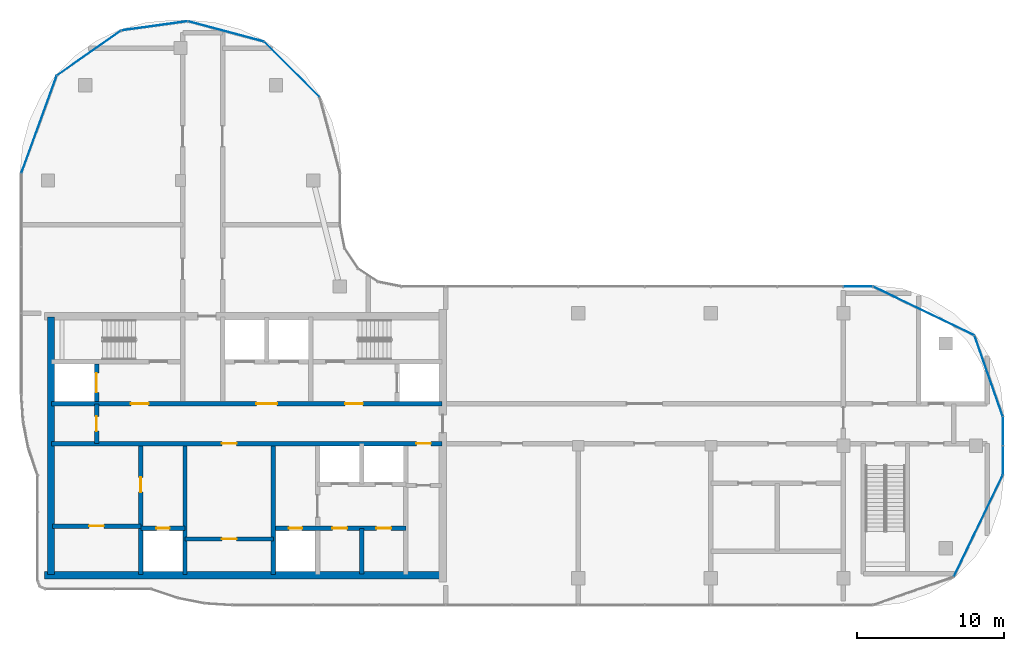
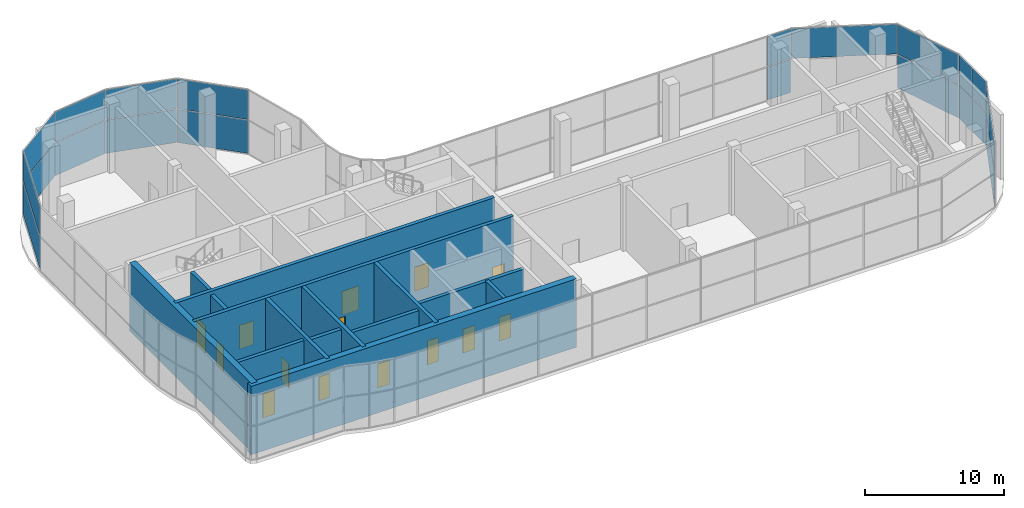
# One storey, part 14 of 19: 21 plates, 14 doors, 14 walls, 14 openings, 5 elements without a shape of their own.
"""IFC4 building model written with IfcOpenShell, lengths in metres."""

from ifc_helpers import new_model, si_unit, direction, frame, frame_2d, origin, origin_2d, place, context, subcontext, project, spatial, rectangle, extrude, material, layer, layer_set, type_object, element, fill, aggregate, save


model = new_model("IFC4")

# Units and contexts
model_context = context("Model", 3, precision=1e-05, world=origin(), true_north=direction((0.0, 1.0)))
body_context = subcontext(model_context, "Body", "Model", "MODEL_VIEW")
ifc_project = project(units=[si_unit("LENGTHUNIT", "METRE"), si_unit("AREAUNIT", "SQUARE_METRE"), si_unit("VOLUMEUNIT", "CUBIC_METRE"), si_unit("PLANEANGLEUNIT", "RADIAN"), si_unit("MASSUNIT", "GRAM", prefix="KILO")], contexts=[model_context])

# Site, building, storey
site_placement = place(None, origin())
site = spatial("IfcSite", under=ifc_project, at=site_placement, CompositionType="ELEMENT")
building_placement = place(site_placement, origin())
building = spatial("IfcBuilding", under=site, at=building_placement, Name="Ogive Portal Towers", CompositionType="ELEMENT")
storey_placement = place(building_placement, frame((0.0, 0.0, 254.89990234375)))
storey = spatial("IfcBuildingStorey", under=building, at=storey_placement, Name="L63", CompositionType="ELEMENT", Elevation=254.89990234375)

# Curtain wall, plates
ifc_material_1 = material(Name="Glass, clear low-iron insulated glazing", Category="glass")
curtain_wall_type = type_object("IfcCurtainWallType", Name="CW OBSERVATION WALL", PredefinedType="NOTDEFINED", material=ifc_material_1)
curtain_wall_1_placement = place(storey_placement, origin())
curtain_wall_1 = element("IfcCurtainWall", 1, at=curtain_wall_1_placement, inside=storey, type_object=curtain_wall_type, Name="A:L63:f10:cw0", PredefinedType="NOTDEFINED")
ifc_layer_1 = layer(ifc_material_1, 0.028076171875)
ifc_layer_set_1 = layer_set([ifc_layer_1], Name="CW PANEL IGU 28")
plate_type = type_object("IfcPlateType", Name="CW PANEL IGU 28", PredefinedType="CURTAIN_PANEL", material=ifc_layer_set_1)
plate_1_placement = place(storey_placement, frame((96.320068359375, 29.509033203125, 0.06005859375), z_axis=(0.0, 0.0, 1.0), x_axis=(0.0, 1.0, 0.0)))
plate_1 = element("IfcPlate", 2, at=plate_1_placement, type_object=plate_type, Name="panel", PredefinedType="CURTAIN_PANEL", context=body_context, shape_type="SweptSolid", body=[
    extrude(rectangle(XDim=1.921630859375, YDim=0.028076171875, at=origin_2d()), origin(), (0.0, 0.0, 1.0), 2.909912109375),
])
plate_2_placement = place(storey_placement, frame((96.320068359375, 29.509033203125, 3.0302734375), z_axis=(0.0, 0.0, 1.0), x_axis=(0.0, 1.0, 0.0)))
plate_2 = element("IfcPlate", 3, at=plate_2_placement, type_object=plate_type, Name="panel", PredefinedType="CURTAIN_PANEL", context=body_context, shape_type="SweptSolid", body=[
    extrude(rectangle(XDim=1.921630859375, YDim=0.028076171875, at=origin_2d()), origin(), (0.0, 0.0, 1.0), 2.610107421875),
])
plate_3_placement = place(storey_placement, frame((96.320068359375, 31.4931640625, 0.06005859375), z_axis=(0.0, 0.0, 1.0), x_axis=(0.0, 1.0, 0.0)))
plate_3 = element("IfcPlate", 4, at=plate_3_placement, type_object=plate_type, Name="panel", PredefinedType="CURTAIN_PANEL", context=body_context, shape_type="SweptSolid", body=[
    extrude(rectangle(XDim=1.926513671875, YDim=0.028076171875, at=origin_2d()), origin(), (0.0, 0.0, 1.0), 2.909912109375),
])
plate_4_placement = place(storey_placement, frame((96.320068359375, 31.4931640625, 3.0302734375), z_axis=(0.0, 0.0, 1.0), x_axis=(0.0, 1.0, 0.0)))
plate_4 = element("IfcPlate", 5, at=plate_4_placement, type_object=plate_type, Name="panel", PredefinedType="CURTAIN_PANEL", context=body_context, shape_type="SweptSolid", body=[
    extrude(rectangle(XDim=1.926513671875, YDim=0.028076171875, at=origin_2d()), origin(), (0.0, 0.0, 1.0), 2.610107421875),
])
aggregate(curtain_wall_1, [plate_1, plate_2, plate_3, plate_4])

curtain_wall_2_placement = place(storey_placement, origin())
curtain_wall_2 = element("IfcCurtainWall", 6, at=curtain_wall_2_placement, inside=storey, type_object=curtain_wall_type, Name="A:L63:f13:cw0", PredefinedType="NOTDEFINED")
plate_5_placement = place(storey_placement, frame((86.490966796875, 41.320068359375, 0.06005859375), z_axis=(0.0, 0.0, 1.0), x_axis=(-1.0, 0.0, 0.0)))
plate_5 = element("IfcPlate", 7, at=plate_5_placement, type_object=plate_type, Name="panel", PredefinedType="CURTAIN_PANEL", context=body_context, shape_type="SweptSolid", body=[
    extrude(rectangle(XDim=1.921630859375, YDim=0.028076171875, at=origin_2d()), origin(), (0.0, 0.0, 1.0), 2.909912109375),
])
plate_6_placement = place(storey_placement, frame((86.490966796875, 41.320068359375, 3.0302734375), z_axis=(0.0, 0.0, 1.0), x_axis=(-1.0, 0.0, 0.0)))
plate_6 = element("IfcPlate", 8, at=plate_6_placement, type_object=plate_type, Name="panel", PredefinedType="CURTAIN_PANEL", context=body_context, shape_type="SweptSolid", body=[
    extrude(rectangle(XDim=1.921630859375, YDim=0.028076171875, at=origin_2d()), origin(), (0.0, 0.0, 1.0), 2.610107421875),
])
aggregate(curtain_wall_2, [plate_5, plate_6])

curtain_wall_3_placement = place(storey_placement, origin())
curtain_wall_3 = element("IfcCurtainWall", 9, at=curtain_wall_3_placement, inside=storey, type_object=curtain_wall_type, Name="A:L63:f08:cwa", PredefinedType="NOTDEFINED")
plate_7_placement = place(storey_placement, frame((94.65576171875, 25.062255859375, 0.06005859375), z_axis=(0.0, 0.0, 1.0), x_axis=(0.433883739113, 0.900968867905, 0.0)))
plate_7 = element("IfcPlate", 10, at=plate_7_placement, type_object=plate_type, Name="panel", PredefinedType="CURTAIN_PANEL", context=body_context, shape_type="SweptSolid", body=[
    extrude(rectangle(XDim=7.61181640625, YDim=0.028076171875, at=origin_2d()), origin(), (0.0, 0.0, 1.0), 2.909912109375),
])
plate_8_placement = place(storey_placement, frame((94.65576171875, 25.062255859375, 3.0302734375), z_axis=(0.0, 0.0, 1.0), x_axis=(0.433883739113, 0.900968867905, 0.0)))
plate_8 = element("IfcPlate", 11, at=plate_8_placement, type_object=plate_type, Name="panel", PredefinedType="CURTAIN_PANEL", context=body_context, shape_type="SweptSolid", body=[
    extrude(rectangle(XDim=7.61181640625, YDim=0.028076171875, at=origin_2d()), origin(), (0.0, 0.0, 1.0), 2.610107421875),
])
aggregate(curtain_wall_3, [plate_7, plate_8])

curtain_wall_4_placement = place(storey_placement, origin())
curtain_wall_4 = element("IfcCurtainWall", 12, at=curtain_wall_4_placement, inside=storey, type_object=curtain_wall_type, Name="A:L63:f11:cwa", PredefinedType="NOTDEFINED")
plate_9_placement = place(storey_placement, frame((95.35693359375, 35.23876953125, 0.06005859375), z_axis=(0.0, 0.0, 1.0), x_axis=(-0.33027906196, 0.943883330307, 0.0)))
plate_9 = element("IfcPlate", 13, at=plate_9_placement, type_object=plate_type, Name="panel", PredefinedType="CURTAIN_PANEL", context=body_context, shape_type="SweptSolid", body=[
    extrude(rectangle(XDim=5.772216796875, YDim=0.028076171875, at=origin_2d()), origin(), (0.0, 0.0, 1.0), 2.909912109375),
])
plate_10_placement = place(storey_placement, frame((95.35693359375, 35.23876953125, 3.0302734375), z_axis=(0.0, 0.0, 1.0), x_axis=(-0.33027906196, 0.943883330307, 0.0)))
plate_10 = element("IfcPlate", 14, at=plate_10_placement, type_object=plate_type, Name="panel", PredefinedType="CURTAIN_PANEL", context=body_context, shape_type="SweptSolid", body=[
    extrude(rectangle(XDim=5.772216796875, YDim=0.028076171875, at=origin_2d()), origin(), (0.0, 0.0, 1.0), 2.610107421875),
])
plate_11_placement = place(storey_placement, frame((90.937744140625, 39.65576171875, 3.0302734375), z_axis=(0.0, 0.0, 1.0), x_axis=(-0.900968867905, 0.433883739113, 0.0)))
plate_11 = element("IfcPlate", 15, at=plate_11_placement, type_object=plate_type, Name="panel", PredefinedType="CURTAIN_PANEL", context=body_context, shape_type="SweptSolid", body=[
    extrude(rectangle(XDim=7.61181640625, YDim=0.028076171875, at=origin_2d()), origin(), (0.0, 0.0, 1.0), 2.610107421875),
])
aggregate(curtain_wall_4, [plate_9, plate_10, plate_11])

curtain_wall_5_placement = place(storey_placement, origin())
curtain_wall_5 = element("IfcCurtainWall", 16, at=curtain_wall_5_placement, inside=storey, type_object=curtain_wall_type, Name="A:L63:f19:cwa", PredefinedType="NOTDEFINED")
plate_12_placement = place(storey_placement, frame((48.046875, 56.046875, 0.06005859375), z_axis=(0.0, 0.0, 1.0), x_axis=(-0.707106781187, 0.707106781187, 0.0)))
plate_12 = element("IfcPlate", 17, at=plate_12_placement, type_object=plate_type, Name="panel", PredefinedType="CURTAIN_PANEL", context=body_context, shape_type="SweptSolid", body=[
    extrude(rectangle(XDim=5.280517578125, YDim=0.028076171875, at=origin_2d()), origin(), (0.0, 0.0, 1.0), 2.909912109375),
])
plate_13_placement = place(storey_placement, frame((48.046875, 56.046875, 3.0302734375), z_axis=(0.0, 0.0, 1.0), x_axis=(-0.707106781187, 0.707106781187, 0.0)))
plate_13 = element("IfcPlate", 18, at=plate_13_placement, type_object=plate_type, Name="panel", PredefinedType="CURTAIN_PANEL", context=body_context, shape_type="SweptSolid", body=[
    extrude(rectangle(XDim=5.280517578125, YDim=0.028076171875, at=origin_2d()), origin(), (0.0, 0.0, 1.0), 2.610107421875),
])
plate_14_placement = place(storey_placement, frame((43.57666015625, 58.626708984375, 0.06005859375), z_axis=(0.0, 0.0, 1.0), x_axis=(-0.965925826289, 0.258819045103, 0.0)))
plate_14 = element("IfcPlate", 19, at=plate_14_placement, type_object=plate_type, Name="panel", PredefinedType="CURTAIN_PANEL", context=body_context, shape_type="SweptSolid", body=[
    extrude(rectangle(XDim=5.285888671875, YDim=0.028076171875, at=origin_2d()), origin(), (0.0, 0.0, 1.0), 2.909912109375),
])
plate_15_placement = place(storey_placement, frame((43.57666015625, 58.626708984375, 3.0302734375), z_axis=(0.0, 0.0, 1.0), x_axis=(-0.965925826289, 0.258819045103, 0.0)))
plate_15 = element("IfcPlate", 20, at=plate_15_placement, type_object=plate_type, Name="panel", PredefinedType="CURTAIN_PANEL", context=body_context, shape_type="SweptSolid", body=[
    extrude(rectangle(XDim=5.285888671875, YDim=0.028076171875, at=origin_2d()), origin(), (0.0, 0.0, 1.0), 2.610107421875),
])
plate_16_placement = place(storey_placement, frame((38.73388671875, 59.00732421875, 0.06005859375), z_axis=(0.0, 0.0, 1.0), x_axis=(-0.990660996338, -0.13634804852, 0.0)))
plate_16 = element("IfcPlate", 21, at=plate_16_placement, type_object=plate_type, Name="panel", PredefinedType="CURTAIN_PANEL", context=body_context, shape_type="SweptSolid", body=[
    extrude(rectangle(XDim=4.50439453125, YDim=0.028076171875, at=origin_2d()), origin(), (0.0, 0.0, 1.0), 2.909912109375),
])
plate_17_placement = place(storey_placement, frame((38.73388671875, 59.00732421875, 3.0302734375), z_axis=(0.0, 0.0, 1.0), x_axis=(-0.990660996338, -0.13634804852, 0.0)))
plate_17 = element("IfcPlate", 22, at=plate_17_placement, type_object=plate_type, Name="panel", PredefinedType="CURTAIN_PANEL", context=body_context, shape_type="SweptSolid", body=[
    extrude(rectangle(XDim=4.50439453125, YDim=0.028076171875, at=origin_2d()), origin(), (0.0, 0.0, 1.0), 2.610107421875),
])
plate_18_placement = place(storey_placement, frame((34.286376953125, 57.1650390625, 0.06005859375), z_axis=(0.0, 0.0, 1.0), x_axis=(-0.819152044289, -0.573576436351, 0.0)))
plate_18 = element("IfcPlate", 23, at=plate_18_placement, type_object=plate_type, Name="panel", PredefinedType="CURTAIN_PANEL", context=body_context, shape_type="SweptSolid", body=[
    extrude(rectangle(XDim=5.27880859375, YDim=0.028076171875, at=origin_2d()), origin(), (0.0, 0.0, 1.0), 2.909912109375),
])
plate_19_placement = place(storey_placement, frame((34.286376953125, 57.1650390625, 3.0302734375), z_axis=(0.0, 0.0, 1.0), x_axis=(-0.819152044289, -0.573576436351, 0.0)))
plate_19 = element("IfcPlate", 24, at=plate_19_placement, type_object=plate_type, Name="panel", PredefinedType="CURTAIN_PANEL", context=body_context, shape_type="SweptSolid", body=[
    extrude(rectangle(XDim=5.27880859375, YDim=0.028076171875, at=origin_2d()), origin(), (0.0, 0.0, 1.0), 2.610107421875),
])
plate_20_placement = place(storey_placement, frame((30.889892578125, 52.309814453125, 0.06005859375), z_axis=(0.0, 0.0, 1.0), x_axis=(-0.342020143326, -0.939692620786, 0.0)))
plate_20 = element("IfcPlate", 25, at=plate_20_placement, type_object=plate_type, Name="panel", PredefinedType="CURTAIN_PANEL", context=body_context, shape_type="SweptSolid", body=[
    extrude(rectangle(XDim=7.0146484375, YDim=0.028076171875, at=origin_2d()), origin(), (0.0, 0.0, 1.0), 2.909912109375),
])
plate_21_placement = place(storey_placement, frame((30.889892578125, 52.309814453125, 3.0302734375), z_axis=(0.0, 0.0, 1.0), x_axis=(-0.342020143326, -0.939692620786, 0.0)))
plate_21 = element("IfcPlate", 26, at=plate_21_placement, type_object=plate_type, Name="panel", PredefinedType="CURTAIN_PANEL", context=body_context, shape_type="SweptSolid", body=[
    extrude(rectangle(XDim=7.0146484375, YDim=0.028076171875, at=origin_2d()), origin(), (0.0, 0.0, 1.0), 2.610107421875),
])
aggregate(curtain_wall_5, [plate_12, plate_13, plate_14, plate_15, plate_16, plate_17, plate_18, plate_19, plate_20, plate_21])

# Wall, opening, door
ifc_material_2 = material(Name="Concrete C60/75", Category="concrete")
ifc_layer_2 = layer(ifc_material_2, 0.300048828125)
ifc_layer_set_2 = layer_set([ifc_layer_2], Name="CORE WALL 300 C60")
wall_type_1 = type_object("IfcWallType", Name="CORE WALL 300 C60", PredefinedType="SHEAR", material=ifc_layer_set_2)
wall_1_placement = place(storey_placement, frame((37.800048828125, 21.75, 0.0), z_axis=(0.0, 0.0, 1.0), x_axis=(0.0, 1.0, 0.0)))
wall_1 = element("IfcWall", 27, at=wall_1_placement, inside=storey, type_object=wall_type_1, Name="Core wall X1 L63", PredefinedType="SHEAR", context=body_context, shape_type="SweptSolid", body=[
    extrude(rectangle(XDim=8.75, YDim=0.300048828125, at=frame_2d((4.375, 0.0))), origin(), (0.0, 0.0, 1.0), 6.0),
])
opening_1_placement = place(wall_1_placement, frame((5.60009765625, 0.0, 0.0)))
opening_1 = element("IfcOpeningElement", 28, at=opening_1_placement, cuts=wall_1, Name="Opening D29-019", PredefinedType="OPENING", context=body_context, shape_type="SweptSolid", body=[
    extrude(rectangle(XDim=1.0, YDim=2.10009765625, at=frame_2d((0.5, 1.050048828125))), frame((0.0, 0.16015625, 0.0), z_axis=(0.0, -1.0, 0.0), x_axis=(1.0, 0.0, 0.0)), (0.0, 0.0, 1.0), 0.320068359375),
])
ifc_material_3 = material(Name="Steel fire door", Category="steel")
door_type_1 = type_object("IfcDoorType", Name="DT-SWING-1000x2100-FD90S", OperationType="SINGLE_SWING_LEFT", PredefinedType="DOOR", material=ifc_material_3)
door_1_placement = place(opening_1_placement, origin())
door_1 = element("IfcDoor", 29, at=door_1_placement, inside=storey, type_object=door_type_1, Name="Door D29-019", OperationType="SINGLE_SWING_LEFT", OverallHeight=2.10009765625, OverallWidth=1.0, PredefinedType="DOOR", context=body_context, shape_type="SweptSolid", body=[
    extrude(rectangle(XDim=1.0, YDim=2.10009765625, at=frame_2d((0.5, 1.050048828125))), frame((0.0, 0.02490234375, 0.0), z_axis=(0.0, -1.0, 0.0), x_axis=(1.0, 0.0, 0.0)), (0.0, 0.0, 1.0), 0.050048828125),
])
fill(opening_1, door_1)

# Walls
for number, where, z_axis, x_axis, name in (
    (30, (40.800048828125, 21.75, 0.0), (0.0, 0.0, 1.0), (0.0, 1.0, 0.0), "Core wall X2 L63"),
    (31, (46.800048828125, 21.75, 0.0), (0.0, 0.0, 1.0), (0.0, 1.0, 0.0), "Core wall X3 L63"),
):
    element("IfcWall", number, at=place(storey_placement, frame(where, z_axis=z_axis, x_axis=x_axis)), inside=storey, type_object=wall_type_1, Name=name, PredefinedType="SHEAR", context=body_context, shape_type="SweptSolid", body=[
        extrude(rectangle(XDim=8.75, YDim=0.300048828125, at=frame_2d((4.375, 0.0))), origin(), (0.0, 0.0, 1.0), 6.0),
    ])

# Wall, openings, doors
wall_2_placement = place(storey_placement, frame((31.75, 30.64990234375, 0.0), z_axis=(0.0, 0.0, 1.0), x_axis=(1.0, 0.0, 0.0)))
wall_2 = element("IfcWall", 32, at=wall_2_placement, inside=storey, type_object=wall_type_1, Name="Core wall Y1 L63", PredefinedType="SHEAR", context=body_context, shape_type="SweptSolid", body=[
    extrude(rectangle(XDim=26.5, YDim=0.300048828125, at=frame_2d((13.25, 0.0))), origin(), (0.0, 0.0, 1.0), 6.0),
])
opening_2_placement = place(wall_2_placement, frame((24.75, 0.0, 0.0)))
opening_2 = element("IfcOpeningElement", 33, at=opening_2_placement, cuts=wall_2, Name="Opening D29-009", PredefinedType="OPENING", context=body_context, shape_type="SweptSolid", body=[
    extrude(rectangle(XDim=1.0, YDim=2.10009765625, at=frame_2d((0.5, 1.050048828125))), frame((0.0, 0.16015625, 0.0), z_axis=(0.0, -1.0, 0.0), x_axis=(1.0, 0.0, 0.0)), (0.0, 0.0, 1.0), 0.320068359375),
])
opening_3_placement = place(wall_2_placement, frame((11.550048828125, 0.0, 0.0)))
opening_3 = element("IfcOpeningElement", 34, at=opening_3_placement, cuts=wall_2, Name="Opening D29-021", PredefinedType="OPENING", context=body_context, shape_type="SweptSolid", body=[
    extrude(rectangle(XDim=1.0, YDim=2.10009765625, at=frame_2d((0.5, 1.050048828125))), frame((0.0, 0.16015625, 0.0), z_axis=(0.0, -1.0, 0.0), x_axis=(1.0, 0.0, 0.0)), (0.0, 0.0, 1.0), 0.320068359375),
])
door_2_placement = place(opening_2_placement, origin())
door_2 = element("IfcDoor", 35, at=door_2_placement, inside=storey, type_object=door_type_1, Name="Door D29-009", OperationType="SINGLE_SWING_LEFT", OverallHeight=2.10009765625, OverallWidth=1.0, PredefinedType="DOOR", context=body_context, shape_type="SweptSolid", body=[
    extrude(rectangle(XDim=1.0, YDim=2.10009765625, at=frame_2d((0.5, 1.050048828125))), frame((0.0, 0.02490234375, 0.0), z_axis=(0.0, -1.0, 0.0), x_axis=(1.0, 0.0, 0.0)), (0.0, 0.0, 1.0), 0.050048828125),
])
fill(opening_2, door_2)
door_3_placement = place(opening_3_placement, origin())
door_3 = element("IfcDoor", 36, at=door_3_placement, inside=storey, type_object=door_type_1, Name="Door D29-021", OperationType="SINGLE_SWING_LEFT", OverallHeight=2.10009765625, OverallWidth=1.0, PredefinedType="DOOR", context=body_context, shape_type="SweptSolid", body=[
    extrude(rectangle(XDim=1.0, YDim=2.10009765625, at=frame_2d((0.5, 1.050048828125))), frame((0.0, 0.02490234375, 0.0), z_axis=(0.0, -1.0, 0.0), x_axis=(1.0, 0.0, 0.0)), (0.0, 0.0, 1.0), 0.050048828125),
])
fill(opening_3, door_3)

wall_3_placement = place(storey_placement, frame((31.75, 33.35009765625, 0.0), z_axis=(0.0, 0.0, 1.0), x_axis=(1.0, 0.0, 0.0)))
wall_3 = element("IfcWall", 37, at=wall_3_placement, inside=storey, type_object=wall_type_1, Name="Core wall Y2 L63", PredefinedType="SHEAR", context=body_context, shape_type="SweptSolid", body=[
    extrude(rectangle(XDim=26.5, YDim=0.300048828125, at=frame_2d((13.25, 0.0))), origin(), (0.0, 0.0, 1.0), 6.0),
])
opening_4_placement = place(wall_3_placement, frame((13.89990234375, 0.0, 0.0)))
opening_4 = element("IfcOpeningElement", 38, at=opening_4_placement, cuts=wall_3, Name="Opening D29-002", PredefinedType="OPENING", context=body_context, shape_type="SweptSolid", body=[
    extrude(rectangle(XDim=1.39990234375, YDim=2.10009765625, at=frame_2d((0.699951171875, 1.050048828125))), frame((0.0, 0.16015625, 0.0), z_axis=(0.0, -1.0, 0.0), x_axis=(1.0, 0.0, 0.0)), (0.0, 0.0, 1.0), 0.320068359375),
])
opening_5_placement = place(wall_3_placement, frame((5.375, 0.0, 0.0)))
opening_5 = element("IfcOpeningElement", 39, at=opening_5_placement, cuts=wall_3, Name="Opening D29-003", PredefinedType="OPENING", context=body_context, shape_type="SweptSolid", body=[
    extrude(rectangle(XDim=1.199951171875, YDim=2.10009765625, at=frame_2d((0.60009765625, 1.050048828125))), frame((0.0, 0.16015625, 0.0), z_axis=(0.0, -1.0, 0.0), x_axis=(1.0, 0.0, 0.0)), (0.0, 0.0, 1.0), 0.320068359375),
])
opening_6_placement = place(wall_3_placement, frame((19.925048828125, 0.0, 0.0)))
opening_6 = element("IfcOpeningElement", 40, at=opening_6_placement, cuts=wall_3, Name="Opening D29-004", PredefinedType="OPENING", context=body_context, shape_type="SweptSolid", body=[
    extrude(rectangle(XDim=1.199951171875, YDim=2.10009765625, at=frame_2d((0.60009765625, 1.050048828125))), frame((0.0, 0.16015625, 0.0), z_axis=(0.0, -1.0, 0.0), x_axis=(1.0, 0.0, 0.0)), (0.0, 0.0, 1.0), 0.320068359375),
])
door_type_2 = type_object("IfcDoorType", Name="DT-SWING-1200x2100-FD90S", OperationType="SINGLE_SWING_LEFT", PredefinedType="DOOR", material=ifc_material_3)
door_4_placement = place(opening_5_placement, origin())
door_4 = element("IfcDoor", 41, at=door_4_placement, inside=storey, type_object=door_type_2, Name="Door D29-003", OperationType="SINGLE_SWING_LEFT", OverallHeight=2.10009765625, OverallWidth=1.199951171875, PredefinedType="DOOR", context=body_context, shape_type="SweptSolid", body=[
    extrude(rectangle(XDim=1.199951171875, YDim=2.10009765625, at=frame_2d((0.60009765625, 1.050048828125))), frame((0.0, 0.02490234375, 0.0), z_axis=(0.0, -1.0, 0.0), x_axis=(1.0, 0.0, 0.0)), (0.0, 0.0, 1.0), 0.050048828125),
])
fill(opening_5, door_4)
door_5_placement = place(opening_6_placement, origin())
door_5 = element("IfcDoor", 42, at=door_5_placement, inside=storey, type_object=door_type_2, Name="Door D29-004", OperationType="SINGLE_SWING_RIGHT", OverallHeight=2.10009765625, OverallWidth=1.199951171875, PredefinedType="DOOR", context=body_context, shape_type="SweptSolid", body=[
    extrude(rectangle(XDim=1.199951171875, YDim=2.10009765625, at=frame_2d((0.60009765625, 1.050048828125))), frame((0.0, 0.02490234375, 0.0), z_axis=(0.0, -1.0, 0.0), x_axis=(1.0, 0.0, 0.0)), (0.0, 0.0, 1.0), 0.050048828125),
])
fill(opening_6, door_5)
door_type_3 = type_object("IfcDoorType", Name="DT-SWING-1400x2100-FD90S", OperationType="SINGLE_SWING_LEFT", PredefinedType="DOOR", material=ifc_material_3)
door_6_placement = place(opening_4_placement, origin())
door_6 = element("IfcDoor", 43, at=door_6_placement, inside=storey, type_object=door_type_3, Name="Door D29-002", OperationType="SINGLE_SWING_RIGHT", OverallHeight=2.10009765625, OverallWidth=1.39990234375, PredefinedType="DOOR", context=body_context, shape_type="SweptSolid", body=[
    extrude(rectangle(XDim=1.39990234375, YDim=2.10009765625, at=frame_2d((0.699951171875, 1.050048828125))), frame((0.0, 0.02490234375, 0.0), z_axis=(0.0, -1.0, 0.0), x_axis=(1.0, 0.0, 0.0)), (0.0, 0.0, 1.0), 0.050048828125),
])
fill(opening_4, door_6)

# Wall, opening, door
wall_4_placement = place(storey_placement, frame((34.800048828125, 33.5, 0.0), z_axis=(0.0, 0.0, 1.0), x_axis=(0.0, 1.0, 0.0)))
wall_4 = element("IfcWall", 44, at=wall_4_placement, inside=storey, type_object=wall_type_1, Name="Core wall X8 L63", PredefinedType="SHEAR", context=body_context, shape_type="SweptSolid", body=[
    extrude(rectangle(XDim=2.550048828125, YDim=0.300048828125, at=frame_2d((1.27490234375, 0.0))), origin(), (0.0, 0.0, 1.0), 6.0),
])
opening_7_placement = place(wall_4_placement, frame((0.625, 0.0, 0.0)))
opening_7 = element("IfcOpeningElement", 45, at=opening_7_placement, cuts=wall_4, Name="Opening D29-017", PredefinedType="OPENING", context=body_context, shape_type="SweptSolid", body=[
    extrude(rectangle(XDim=1.300048828125, YDim=2.39990234375, at=frame_2d((0.64990234375, 1.199951171875))), frame((0.0, 0.16015625, 0.0), z_axis=(0.0, -1.0, 0.0), x_axis=(1.0, 0.0, 0.0)), (0.0, 0.0, 1.0), 0.320068359375),
])
ifc_material_4 = material(Name="Stainless steel", Category="steel")
door_type_4 = type_object("IfcDoorType", Name="DT-LD-1300x2400", OperationType="SLIDING_TO_LEFT", PredefinedType="DOOR", material=ifc_material_4)
door_7_placement = place(opening_7_placement, origin())
door_7 = element("IfcDoor", 46, at=door_7_placement, inside=storey, type_object=door_type_4, Name="Door D29-017", OperationType="SLIDING_TO_LEFT", OverallHeight=2.39990234375, OverallWidth=1.300048828125, PredefinedType="DOOR", context=body_context, shape_type="SweptSolid", body=[
    extrude(rectangle(XDim=1.300048828125, YDim=2.39990234375, at=frame_2d((0.64990234375, 1.199951171875))), frame((0.0, 0.02490234375, 0.0), z_axis=(0.0, -1.0, 0.0), x_axis=(1.0, 0.0, 0.0)), (0.0, 0.0, 1.0), 0.050048828125),
])
fill(opening_7, door_7)

# Walls
ifc_layer_3 = layer(ifc_material_2, 0.5)
ifc_layer_set_3 = layer_set([ifc_layer_3], Name="CORE WALL 500 C60")
wall_type_2 = type_object("IfcWallType", Name="CORE WALL 500 C60", PredefinedType="SHEAR", material=ifc_layer_set_3)
wall_5_placement = place(storey_placement, frame((31.699951171875, 21.75, 0.0), z_axis=(0.0, 0.0, 1.0), x_axis=(0.0, 1.0, 0.0)))
element("IfcWall", 47, at=wall_5_placement, inside=storey, type_object=wall_type_2, Name="Core wall W L63", PredefinedType="SHEAR", context=body_context, shape_type="SweptSolid", body=[
    extrude(rectangle(XDim=17.5, YDim=0.5, at=frame_2d((8.75, 0.0))), origin(), (0.0, 0.0, 1.0), 6.0),
])
wall_6_placement = place(storey_placement, frame((31.25, 21.699951171875, 0.0), z_axis=(0.0, 0.0, 1.0), x_axis=(1.0, 0.0, 0.0)))
element("IfcWall", 48, at=wall_6_placement, inside=storey, type_object=wall_type_2, Name="Core wall S L63", PredefinedType="SHEAR", context=body_context, shape_type="SweptSolid", body=[
    extrude(rectangle(XDim=27.0, YDim=0.5, at=frame_2d((13.5, 0.0))), origin(), (0.0, 0.0, 1.0), 6.0),
])

# Wall, opening, door
ifc_material_5 = material(Name="Gypsum board partition on steel studs", Category="steel")
ifc_layer_4 = layer(ifc_material_5, 0.300048828125)
ifc_layer_set_4 = layer_set([ifc_layer_4], Name="WT-PART-300")
wall_type_3 = type_object("IfcWallType", Name="WT-PART-300", PredefinedType="PARTITIONING", material=ifc_layer_set_4)
wall_7_placement = place(storey_placement, frame((40.800048828125, 24.173095703125, 0.0), z_axis=(0.0, 0.0, 1.0), x_axis=(1.0, 0.0, 0.0)))
wall_7 = element("IfcWall", 49, at=wall_7_placement, inside=storey, type_object=wall_type_3, Name="Wall pw:001:L63", PredefinedType="PARTITIONING", context=body_context, shape_type="SweptSolid", body=[
    extrude(rectangle(XDim=6.0, YDim=0.300048828125, at=frame_2d((3.0, 0.0))), origin(), (0.0, 0.0, 1.0), 5.7001953125),
])
opening_8_placement = place(wall_7_placement, frame((2.5, 0.0, 0.0)))
opening_8 = element("IfcOpeningElement", 50, at=opening_8_placement, cuts=wall_7, Name="Opening D29-022", PredefinedType="OPENING", context=body_context, shape_type="SweptSolid", body=[
    extrude(rectangle(XDim=1.0, YDim=2.10009765625, at=frame_2d((0.5, 1.050048828125))), frame((0.0, 0.16015625, 0.0), z_axis=(0.0, -1.0, 0.0), x_axis=(1.0, 0.0, 0.0)), (0.0, 0.0, 1.0), 0.320068359375),
])
door_type_5 = type_object("IfcDoorType", Name="DT-SWING-1000x2100-FD60S", OperationType="SINGLE_SWING_LEFT", PredefinedType="DOOR", material=ifc_material_3)
door_8_placement = place(opening_8_placement, origin())
door_8 = element("IfcDoor", 51, at=door_8_placement, inside=storey, type_object=door_type_5, Name="Riser access door D29-022", OperationType="SINGLE_SWING_RIGHT", OverallHeight=2.10009765625, OverallWidth=1.0, PredefinedType="DOOR", context=body_context, shape_type="SweptSolid", body=[
    extrude(rectangle(XDim=1.0, YDim=2.10009765625, at=frame_2d((0.5, 1.050048828125))), frame((0.0, 0.02490234375, 0.0), z_axis=(0.0, -1.0, 0.0), x_axis=(1.0, 0.0, 0.0)), (0.0, 0.0, 1.0), 0.050048828125),
])
fill(opening_8, door_8)

wall_8_placement = place(storey_placement, frame((37.800048828125, 24.89990234375, 0.0), z_axis=(0.0, 0.0, 1.0), x_axis=(1.0, 0.0, 0.0)))
wall_8 = element("IfcWall", 52, at=wall_8_placement, inside=storey, type_object=wall_type_3, Name="Wall pw:002:L63", PredefinedType="PARTITIONING", context=body_context, shape_type="SweptSolid", body=[
    extrude(rectangle(XDim=3.0, YDim=0.300048828125, at=frame_2d((1.5, 0.0))), origin(), (0.0, 0.0, 1.0), 5.7001953125),
])
opening_9_placement = place(wall_8_placement, frame((1.050048828125, 0.0, 0.0)))
opening_9 = element("IfcOpeningElement", 53, at=opening_9_placement, cuts=wall_8, Name="Opening D29-007", PredefinedType="OPENING", context=body_context, shape_type="SweptSolid", body=[
    extrude(rectangle(XDim=0.89990234375, YDim=2.10009765625, at=frame_2d((0.449951171875, 1.050048828125))), frame((0.0, 0.16015625, 0.0), z_axis=(0.0, -1.0, 0.0), x_axis=(1.0, 0.0, 0.0)), (0.0, 0.0, 1.0), 0.320068359375),
])
door_type_6 = type_object("IfcDoorType", Name="DT-SWING-900x2100-FD60S", OperationType="SINGLE_SWING_LEFT", PredefinedType="DOOR", material=ifc_material_3)
door_9_placement = place(opening_9_placement, origin())
door_9 = element("IfcDoor", 54, at=door_9_placement, inside=storey, type_object=door_type_6, Name="Riser access door D29-007", OperationType="SINGLE_SWING_LEFT", OverallHeight=2.10009765625, OverallWidth=0.89990234375, PredefinedType="DOOR", context=body_context, shape_type="SweptSolid", body=[
    extrude(rectangle(XDim=0.89990234375, YDim=2.10009765625, at=frame_2d((0.449951171875, 1.050048828125))), frame((0.0, 0.02490234375, 0.0), z_axis=(0.0, -1.0, 0.0), x_axis=(1.0, 0.0, 0.0)), (0.0, 0.0, 1.0), 0.050048828125),
])
fill(opening_9, door_9)

# Wall, openings, doors
wall_9_placement = place(storey_placement, frame((46.800048828125, 24.89990234375, 0.0), z_axis=(0.0, 0.0, 1.0), x_axis=(1.0, 0.0, 0.0)))
wall_9 = element("IfcWall", 55, at=wall_9_placement, inside=storey, type_object=wall_type_3, Name="Wall pw:003:L63", PredefinedType="PARTITIONING", context=body_context, shape_type="SweptSolid", body=[
    extrude(rectangle(XDim=9.0, YDim=0.300048828125, at=frame_2d((4.5, 0.0))), origin(), (0.0, 0.0, 1.0), 5.7001953125),
])
opening_10_placement = place(wall_9_placement, frame((1.050048828125, 0.0, 0.0)))
opening_10 = element("IfcOpeningElement", 56, at=opening_10_placement, cuts=wall_9, Name="Opening D29-008", PredefinedType="OPENING", context=body_context, shape_type="SweptSolid", body=[
    extrude(rectangle(XDim=0.89990234375, YDim=2.10009765625, at=frame_2d((0.449951171875, 1.050048828125))), frame((0.0, 0.16015625, 0.0), z_axis=(0.0, -1.0, 0.0), x_axis=(1.0, 0.0, 0.0)), (0.0, 0.0, 1.0), 0.320068359375),
])
opening_11_placement = place(wall_9_placement, frame((4.0, 0.0, 0.0)))
opening_11 = element("IfcOpeningElement", 57, at=opening_11_placement, cuts=wall_9, Name="Opening D29-023", PredefinedType="OPENING", context=body_context, shape_type="SweptSolid", body=[
    extrude(rectangle(XDim=1.0, YDim=2.10009765625, at=frame_2d((0.5, 1.050048828125))), frame((0.0, 0.16015625, 0.0), z_axis=(0.0, -1.0, 0.0), x_axis=(1.0, 0.0, 0.0)), (0.0, 0.0, 1.0), 0.320068359375),
])
opening_12_placement = place(wall_9_placement, frame((7.0, 0.0, 0.0)))
opening_12 = element("IfcOpeningElement", 58, at=opening_12_placement, cuts=wall_9, Name="Opening D29-024", PredefinedType="OPENING", context=body_context, shape_type="SweptSolid", body=[
    extrude(rectangle(XDim=1.0, YDim=2.10009765625, at=frame_2d((0.5, 1.050048828125))), frame((0.0, 0.16015625, 0.0), z_axis=(0.0, -1.0, 0.0), x_axis=(1.0, 0.0, 0.0)), (0.0, 0.0, 1.0), 0.320068359375),
])
door_10_placement = place(opening_11_placement, origin())
door_10 = element("IfcDoor", 59, at=door_10_placement, inside=storey, type_object=door_type_5, Name="Door D29-023", OperationType="SINGLE_SWING_LEFT", OverallHeight=2.10009765625, OverallWidth=1.0, PredefinedType="DOOR", context=body_context, shape_type="SweptSolid", body=[
    extrude(rectangle(XDim=1.0, YDim=2.10009765625, at=frame_2d((0.5, 1.050048828125))), frame((0.0, 0.02490234375, 0.0), z_axis=(0.0, -1.0, 0.0), x_axis=(1.0, 0.0, 0.0)), (0.0, 0.0, 1.0), 0.050048828125),
])
fill(opening_11, door_10)
door_11_placement = place(opening_12_placement, origin())
door_11 = element("IfcDoor", 60, at=door_11_placement, inside=storey, type_object=door_type_5, Name="Door D29-024", OperationType="SINGLE_SWING_RIGHT", OverallHeight=2.10009765625, OverallWidth=1.0, PredefinedType="DOOR", context=body_context, shape_type="SweptSolid", body=[
    extrude(rectangle(XDim=1.0, YDim=2.10009765625, at=frame_2d((0.5, 1.050048828125))), frame((0.0, 0.02490234375, 0.0), z_axis=(0.0, -1.0, 0.0), x_axis=(1.0, 0.0, 0.0)), (0.0, 0.0, 1.0), 0.050048828125),
])
fill(opening_12, door_11)
door_12_placement = place(opening_10_placement, origin())
door_12 = element("IfcDoor", 61, at=door_12_placement, inside=storey, type_object=door_type_6, Name="Riser access door D29-008", OperationType="SINGLE_SWING_RIGHT", OverallHeight=2.10009765625, OverallWidth=0.89990234375, PredefinedType="DOOR", context=body_context, shape_type="SweptSolid", body=[
    extrude(rectangle(XDim=0.89990234375, YDim=2.10009765625, at=frame_2d((0.449951171875, 1.050048828125))), frame((0.0, 0.02490234375, 0.0), z_axis=(0.0, -1.0, 0.0), x_axis=(1.0, 0.0, 0.0)), (0.0, 0.0, 1.0), 0.050048828125),
])
fill(opening_10, door_12)

# Wall, opening, door
wall_10_placement = place(storey_placement, frame((31.800048828125, 25.050048828125, 0.0), z_axis=(0.0, 0.0, 1.0), x_axis=(1.0, 0.0, 0.0)))
wall_10 = element("IfcWall", 62, at=wall_10_placement, inside=storey, type_object=wall_type_3, Name="Wall pw:004:L63", PredefinedType="PARTITIONING", context=body_context, shape_type="SweptSolid", body=[
    extrude(rectangle(XDim=6.0, YDim=0.300048828125, at=frame_2d((3.0, 0.0))), origin(), (0.0, 0.0, 1.0), 5.7001953125),
])
opening_13_placement = place(wall_10_placement, frame((2.5, 0.0, 0.0)))
opening_13 = element("IfcOpeningElement", 63, at=opening_13_placement, cuts=wall_10, Name="Opening D29-020", PredefinedType="OPENING", context=body_context, shape_type="SweptSolid", body=[
    extrude(rectangle(XDim=1.0, YDim=2.10009765625, at=frame_2d((0.5, 1.050048828125))), frame((0.0, 0.16015625, 0.0), z_axis=(0.0, -1.0, 0.0), x_axis=(1.0, 0.0, 0.0)), (0.0, 0.0, 1.0), 0.320068359375),
])
door_13_placement = place(opening_13_placement, origin())
door_13 = element("IfcDoor", 64, at=door_13_placement, inside=storey, type_object=door_type_5, Name="Door D29-020", OperationType="SINGLE_SWING_RIGHT", OverallHeight=2.10009765625, OverallWidth=1.0, PredefinedType="DOOR", context=body_context, shape_type="SweptSolid", body=[
    extrude(rectangle(XDim=1.0, YDim=2.10009765625, at=frame_2d((0.5, 1.050048828125))), frame((0.0, 0.02490234375, 0.0), z_axis=(0.0, -1.0, 0.0), x_axis=(1.0, 0.0, 0.0)), (0.0, 0.0, 1.0), 0.050048828125),
])
fill(opening_13, door_13)

# Wall
wall_11_placement = place(storey_placement, frame((52.800048828125, 21.800048828125, 0.0), z_axis=(0.0, 0.0, 1.0), x_axis=(0.0, 1.0, 0.0)))
element("IfcWall", 65, at=wall_11_placement, inside=storey, type_object=wall_type_3, Name="Wall pw:009:L63", PredefinedType="PARTITIONING", context=body_context, shape_type="SweptSolid", body=[
    extrude(rectangle(XDim=3.099853515625, YDim=0.300048828125, at=frame_2d((1.5498046875, 0.0))), origin(), (0.0, 0.0, 1.0), 5.7001953125),
])

# Wall, opening, door
ifc_material_6 = material(Name="Concrete C40/50", Category="concrete")
ifc_layer_5 = layer(ifc_material_6, 0.300048828125)
ifc_layer_set_5 = layer_set([ifc_layer_5], Name="WT-SHAFT-300")
wall_type_4 = type_object("IfcWallType", Name="WT-SHAFT-300", PredefinedType="SOLIDWALL", material=ifc_layer_set_5)
wall_12_placement = place(storey_placement, frame((34.800048828125, 30.64990234375, 0.0), z_axis=(0.0, 0.0, 1.0), x_axis=(0.0, 1.0, 0.0)))
wall_12 = element("IfcWall", 66, at=wall_12_placement, inside=storey, type_object=wall_type_4, Name="Wall pw:007:L63", PredefinedType="SOLIDWALL", context=body_context, shape_type="SweptSolid", body=[
    extrude(rectangle(XDim=2.7001953125, YDim=0.300048828125, at=frame_2d((1.35009765625, 0.0))), origin(), (0.0, 0.0, 1.0), 5.7001953125),
])
opening_14_placement = place(wall_12_placement, frame((0.85009765625, 0.0, 0.0)))
opening_14 = element("IfcOpeningElement", 67, at=opening_14_placement, cuts=wall_12, Name="Opening D29-025", PredefinedType="OPENING", context=body_context, shape_type="SweptSolid", body=[
    extrude(rectangle(XDim=1.0, YDim=2.10009765625, at=frame_2d((0.5, 1.050048828125))), frame((0.0, 0.16015625, 0.0), z_axis=(0.0, -1.0, 0.0), x_axis=(1.0, 0.0, 0.0)), (0.0, 0.0, 1.0), 0.320068359375),
])
door_14_placement = place(opening_14_placement, origin())
door_14 = element("IfcDoor", 68, at=door_14_placement, inside=storey, type_object=door_type_1, Name="Door D29-025", OperationType="SINGLE_SWING_LEFT", OverallHeight=2.10009765625, OverallWidth=1.0, PredefinedType="DOOR", context=body_context, shape_type="SweptSolid", body=[
    extrude(rectangle(XDim=1.0, YDim=2.10009765625, at=frame_2d((0.5, 1.050048828125))), frame((0.0, 0.02490234375, 0.0), z_axis=(0.0, -1.0, 0.0), x_axis=(1.0, 0.0, 0.0)), (0.0, 0.0, 1.0), 0.050048828125),
])
fill(opening_14, door_14)

save(model, "model.ifc")
